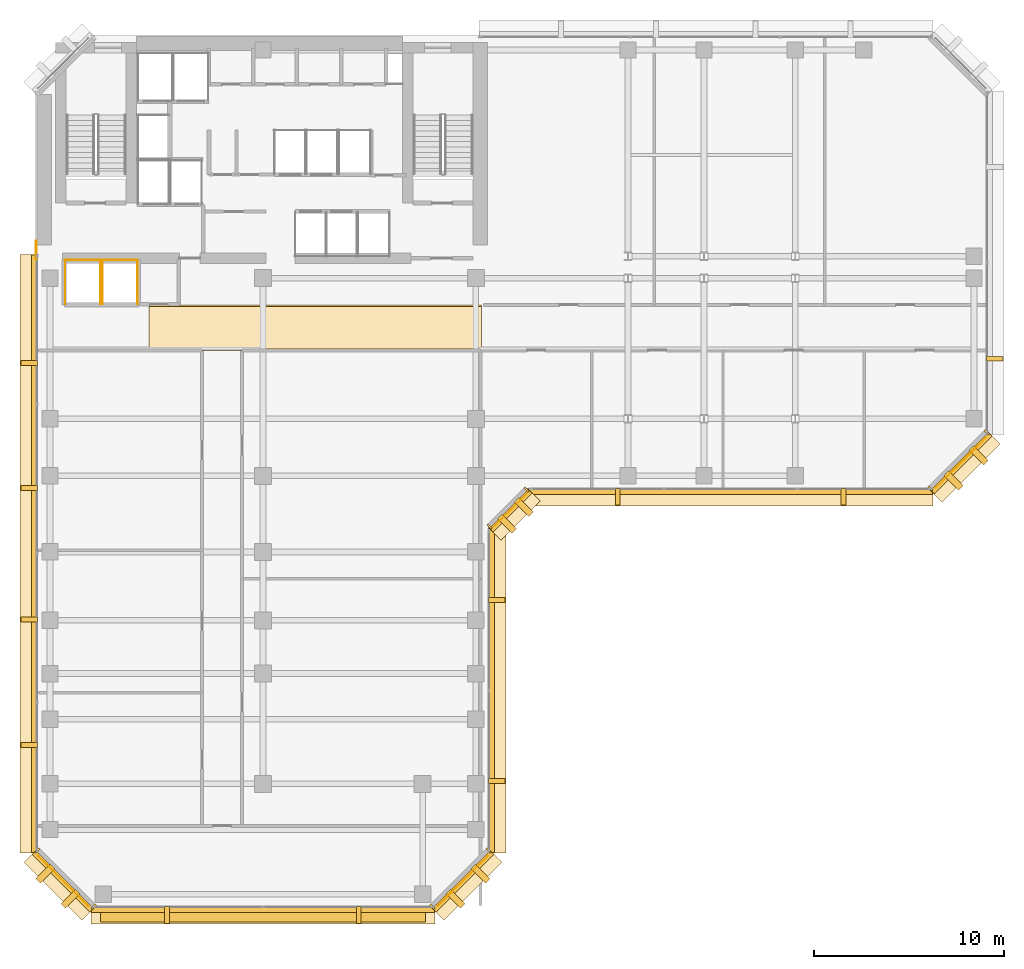
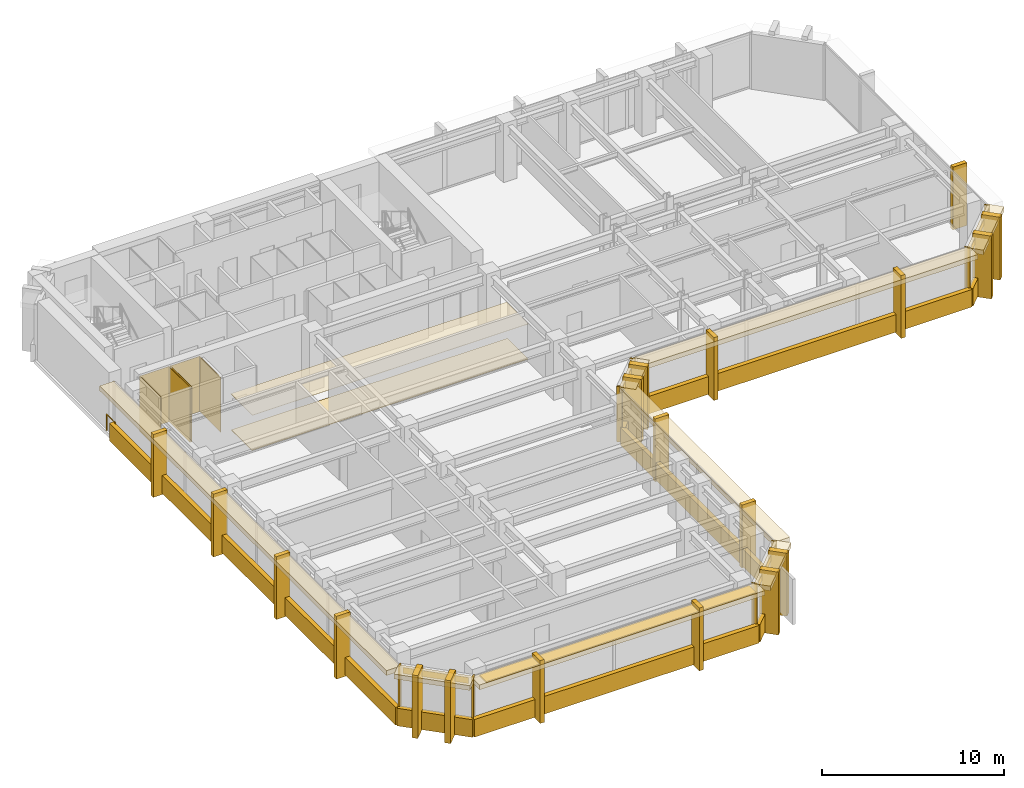
# One storey, part 9 of 11: 55 coverings, 1 railing, 1 shading device.
"""IFC4 building model written with IfcOpenShell, lengths in metres."""

import ifcopenshell
import ifcopenshell.guid

model = None  # the IFC model being written
_history = None  # IfcOwnerHistory: only IFC2X3 demands one
_inside = {}  # id of a spatial element -> (the spatial element, [elements in it])
_under = {}  # id of a project, library or spatial element -> (it, [spatial elements below it])
_declared = {}  # id of a project -> (the project, [libraries it declares])
_typed = {}  # id of a type object -> (the type object, [elements of that type])
_made_of = {}  # id of a material, layer set ... -> (it, [elements and type objects made of it])


def new_model(schema):
    """Start an empty IFC model of exactly this schema.

    Asked for "IFC4X3", IfcOpenShell would pick the latest addendum, in which some entities
    have other attributes; the version numbers below select the first issue.
    IFC2X3 requires an IfcOwnerHistory on every rooted entity: one is made here for all.
    """
    global model, _history
    if schema == "IFC4X3":
        model = ifcopenshell.file(schema_version=(4, 3, 0, 0))
    else:
        model = ifcopenshell.file(schema=schema)
    _inside.clear()
    _under.clear()
    _declared.clear()
    _typed.clear()
    _made_of.clear()
    _history = None
    if model.schema == "IFC2X3":
        org = make("IfcOrganization", Name="unknown")
        user = make(
            "IfcPersonAndOrganization",
            ThePerson=make("IfcPerson", FamilyName="unknown"),
            TheOrganization=org,
        )
        app = make(
            "IfcApplication",
            ApplicationDeveloper=org,
            Version="unknown",
            ApplicationFullName="unknown",
            ApplicationIdentifier="unknown",
        )
        _history = make(
            "IfcOwnerHistory",
            OwningUser=user,
            OwningApplication=app,
            ChangeAction="ADDED",
            CreationDate=0,
        )
    return model


def make(cls, **values):
    """One entity of the class cls with the attributes given. An attribute that is None is left unset."""
    return model.create_entity(
        cls, **{name: value for name, value in values.items() if value is not None}
    )


def rooted(cls, **values):
    """An entity with a GlobalId (a new one), such as an element, a storey or a relation."""
    return make(cls, GlobalId=ifcopenshell.guid.new(), OwnerHistory=_history, **values)


def si_unit(unit_type, name, prefix=None):
    """IfcSIUnit, for example si_unit("LENGTHUNIT", "METRE", prefix="MILLI")."""
    return make("IfcSIUnit", UnitType=unit_type, Prefix=prefix, Name=name)


def assignment(units):
    """IfcUnitAssignment: the units of a project."""
    return None if units is None else make("IfcUnitAssignment", Units=units)


def point(xyz):
    """IfcCartesianPoint."""
    return None if xyz is None else make("IfcCartesianPoint", Coordinates=xyz)


def direction(xyz):
    """IfcDirection."""
    return None if xyz is None else make("IfcDirection", DirectionRatios=xyz)


def frame(location, z_axis=None, x_axis=None):
    """IfcAxis2Placement3D, a coordinate frame: its origin and axes. An axis left out is left unset."""
    return make(
        "IfcAxis2Placement3D",
        Location=point(location),
        Axis=direction(z_axis),
        RefDirection=direction(x_axis),
    )


def frame_2d(location, x_axis=None):
    """IfcAxis2Placement2D, a coordinate frame in the plane: its origin and x axis."""
    return make(
        "IfcAxis2Placement2D", Location=point(location), RefDirection=direction(x_axis)
    )


def origin():
    """The frame at (0, 0, 0) with its axes left unset."""
    return frame((0.0, 0.0, 0.0))


def origin_2d():
    """The frame at (0, 0) in the plane with its x axis left unset."""
    return frame_2d((0.0, 0.0))


def place(relative_to, where):
    """IfcLocalPlacement: puts the frame where relative to a parent placement (None: the world)."""
    return make(
        "IfcLocalPlacement", PlacementRelTo=relative_to, RelativePlacement=where
    )


def context(
    kind, dimensions, precision=None, world=None, true_north=None, identifier=None
):
    """IfcGeometricRepresentationContext, for example the 3D "Model" context."""
    return make(
        "IfcGeometricRepresentationContext",
        ContextIdentifier=identifier,
        ContextType=kind,
        CoordinateSpaceDimension=dimensions,
        Precision=precision,
        WorldCoordinateSystem=world,
        TrueNorth=true_north,
    )


def subcontext(parent, identifier, kind, view, scale=None):
    """IfcGeometricRepresentationSubContext, for example "Body" below "Model"."""
    return make(
        "IfcGeometricRepresentationSubContext",
        ContextIdentifier=identifier,
        ContextType=kind,
        ParentContext=parent,
        TargetScale=scale,
        TargetView=view,
    )


def project(units=None, contexts=None):
    """IfcProject with its units and contexts."""
    return rooted(
        "IfcProject",
        Name="project",
        RepresentationContexts=contexts,
        UnitsInContext=assignment(units),
    )


def spatial(cls, under=None, at=None, **own):
    """A site, building, storey or space (cls), placed at a placement, below another one or the project."""
    s = rooted(cls, ObjectPlacement=at, **own)
    if under is not None:
        _under.setdefault(under.id(), (under, []))[1].append(s)
    return s


def polyline(points):
    """IfcPolyline through the points."""
    return make("IfcPolyline", Points=[point(p) for p in points])


def profile(cls, at=None, kind="AREA", **sizes):
    """A parametric profile (cls). Its sizes go by their IFC names, for example OverallWidth=200.0."""
    return make(cls, ProfileType=kind, Position=at, **sizes)


def rectangle(**sizes):
    """IfcRectangleProfileDef."""
    return profile("IfcRectangleProfileDef", **sizes)


def circle(**sizes):
    """IfcCircleProfileDef."""
    return profile("IfcCircleProfileDef", **sizes)


def outline(outer, holes=None, kind="AREA"):
    """IfcArbitraryClosedProfileDef: a profile drawn as a closed curve; with holes, ...WithVoids."""
    if holes is None:
        return make("IfcArbitraryClosedProfileDef", ProfileType=kind, OuterCurve=outer)
    return make(
        "IfcArbitraryProfileDefWithVoids",
        ProfileType=kind,
        OuterCurve=outer,
        InnerCurves=holes,
    )


def extrude(swept, where, along, depth):
    """IfcExtrudedAreaSolid: the profile swept, set in the frame where, extruded along a direction by depth."""
    return make(
        "IfcExtrudedAreaSolid",
        SweptArea=swept,
        Position=where,
        ExtrudedDirection=direction(along),
        Depth=depth,
    )


def shape(context_of_items, identifier, shape_type, items):
    """IfcShapeRepresentation: the items that make up one representation, for example the "Body"."""
    return make(
        "IfcShapeRepresentation",
        ContextOfItems=context_of_items,
        RepresentationIdentifier=identifier,
        RepresentationType=shape_type,
        Items=items,
    )


def material(Name=None, Category=None):
    """IfcMaterial."""
    return make("IfcMaterial", Name=Name, Category=Category)


def layer(
    of_material, thickness, ventilated=None, Name=None, Category=None, Priority=None
):
    """IfcMaterialLayer: one layer of a wall or slab, of a material (None: an air gap)."""
    return make(
        "IfcMaterialLayer",
        Material=of_material,
        LayerThickness=thickness,
        IsVentilated=ventilated,
        Name=Name,
        Category=Category,
        Priority=Priority,
    )


def layer_set(layers, Name=None):
    """IfcMaterialLayerSet."""
    return make("IfcMaterialLayerSet", MaterialLayers=layers, LayerSetName=Name)


def made_of(thing, what):
    """Note that an element or type object is made of a material, layer set ...; save() writes the relation."""
    if what is not None:
        _made_of.setdefault(what.id(), (what, []))[1].append(thing)
    return thing


def type_object(cls, material=None, **own):
    """A type object (cls), such as IfcWallType, which elements share."""
    return made_of(rooted(cls, **own), material)


def element(
    cls,
    number,
    at=None,
    inside=None,
    cuts=None,
    type_object=None,
    material=None,
    context=None,
    identifier="Body",
    shape_type=None,
    held_by="IfcProductDefinitionShape",
    body=None,
    shapes=None,
    **own,
):
    """One element of the class cls, such as IfcWall. Its Tag is "e" and its number.

    at: its placement. inside: the storey or other place that contains it. cuts: it is an
    opening in that element (IfcRelVoidsElement). A single representation is given by context,
    identifier, shape_type and body (its items); several are given by shapes. held_by: the class
    of the entity that holds the representations. save() writes the other relations.
    """
    e = rooted(cls, Tag="e%d" % number, ObjectPlacement=at, **own)
    if body is not None:
        shapes = [shape(context, identifier, shape_type, body)]
    if shapes is not None:
        e.Representation = make(held_by, Representations=shapes)
    if inside is not None:
        _inside.setdefault(inside.id(), (inside, []))[1].append(e)
    if cuts is not None:
        rooted(
            "IfcRelVoidsElement", RelatingBuildingElement=cuts, RelatedOpeningElement=e
        )
    if type_object is not None:
        _typed.setdefault(type_object.id(), (type_object, []))[1].append(e)
    return made_of(e, material)


def aggregate(whole, parts):
    """IfcRelAggregates: a whole, such as a stair, and the parts it consists of."""
    return rooted("IfcRelAggregates", RelatingObject=whole, RelatedObjects=parts)


def save(model, path):
    """Write the relations noted so far, then the file.

    IfcRelAggregates (storeys below a building ...), IfcRelContainedInSpatialStructure (elements
    in a storey), IfcRelDefinesByType, IfcRelAssociatesMaterial and IfcRelDeclares: one each for
    every whole, place, type object, material and project.
    """
    for whole, parts in _under.values():
        aggregate(whole, parts)
    for where, things in _inside.values():
        rooted(
            "IfcRelContainedInSpatialStructure",
            RelatedElements=things,
            RelatingStructure=where,
        )
    for kind, things in _typed.values():
        rooted("IfcRelDefinesByType", RelatedObjects=things, RelatingType=kind)
    for what, things in _made_of.values():
        rooted("IfcRelAssociatesMaterial", RelatedObjects=things, RelatingMaterial=what)
    for by, libraries in _declared.values():
        rooted("IfcRelDeclares", RelatingContext=by, RelatedDefinitions=libraries)
    model.write(path)


model = new_model("IFC4")

# Units and contexts
model_context = context("Model", 3, precision=1e-05, world=origin(), true_north=direction((0.0, 1.0)))
body_context = subcontext(model_context, "Body", "Model", "MODEL_VIEW")
ifc_project = project(units=[si_unit("LENGTHUNIT", "METRE"), si_unit("AREAUNIT", "SQUARE_METRE"), si_unit("VOLUMEUNIT", "CUBIC_METRE"), si_unit("PLANEANGLEUNIT", "RADIAN"), si_unit("MASSUNIT", "GRAM", prefix="KILO")], contexts=[model_context])

# Site, building, storey
site_placement = place(None, origin())
site = spatial("IfcSite", under=ifc_project, at=site_placement, CompositionType="ELEMENT")
building_placement = place(site_placement, origin())
building = spatial("IfcBuilding", under=site, at=building_placement, Name="Kefirva Bronze Tower", CompositionType="ELEMENT")
storey_placement = place(building_placement, frame((0.0, 0.0, 158.72998046875)))
storey = spatial("IfcBuildingStorey", under=building, at=storey_placement, Name="L38", CompositionType="ELEMENT", Elevation=158.72998046875)

# Coverings
ifc_material_1 = material(Name="Acoustic mineral tile")
ifc_layer_1 = layer(ifc_material_1, 0.02490234375, Name="Acoustic mineral tile")
ifc_layer_set_1 = layer_set([ifc_layer_1], Name="Acoustic mineral tile")
covering_type_1 = type_object("IfcCoveringType", Name="Acoustic Mineral Suspended Ceiling 25mm", PredefinedType="CEILING", material=ifc_layer_set_1)
covering_1_placement = place(storey_placement, frame((0.0, 0.0, 2.39990234375)))
element("IfcCovering", 1, at=covering_1_placement, inside=storey, type_object=covering_type_1, Name="L38 Corridor Acoustic Ceiling", PredefinedType="CEILING", context=body_context, shape_type="SweptSolid", body=[
    extrude(outline(polyline([(6.0, 29.39990234375), (23.5, 29.39990234375), (23.5, 31.800048828125), (6.0, 31.800048828125), (6.0, 29.39990234375)])), origin(), (0.0, 0.0, 1.0), 0.025146484375),
])
ifc_material_2 = material(Name="Bronze anodised aluminium", Category="aluminium")
ifc_layer_2 = layer(ifc_material_2, 0.02001953125, Name="Bronze anodised aluminium")
ifc_layer_set_2 = layer_set([ifc_layer_2], Name="Bronze anodised aluminium")
covering_type_2 = type_object("IfcCoveringType", Name="Anodised Bronze Spandrel Cladding 20mm", PredefinedType="CLADDING", material=ifc_layer_set_2)
covering_2_placement = place(storey_placement, frame((12.0, -0.0400390625, -0.16015625), z_axis=(0.0, 0.0, 1.0), x_axis=(1.0, 0.0, 0.0)))
element("IfcCovering", 2, at=covering_2_placement, inside=storey, type_object=covering_type_2, Name="L38 Streamline Horizontal Spandrel Band 0", PredefinedType="CLADDING", context=body_context, shape_type="SweptSolid", body=[
    extrude(rectangle(XDim=18.0400390625, YDim=0.280029296875, at=origin_2d()), origin(), (0.0, 0.0, 1.0), 1.179931640625),
])
covering_3_placement = place(storey_placement, frame((22.507080078125, 1.492919921875, 3.2900390625), z_axis=(0.0, 0.0, 1.0), x_axis=(0.707106781187, 0.707106781187, 0.0)))
element("IfcCovering", 3, at=covering_3_placement, inside=storey, type_object=covering_type_2, Name="L38 Bronze Spandrel Cladding 1", PredefinedType="CLADDING", context=body_context, shape_type="SweptSolid", body=[
    extrude(rectangle(XDim=3.719482421875, YDim=0.02001953125, at=origin_2d()), origin(), (0.0, 0.0, 1.0), 0.39990234375),
])
for number, where, z_axis, x_axis, name in (
    (4, (20.91162109375, 0.137939453125, 0.0), (0.0, 0.0, 1.0), (0.707106781187, 0.707106781187, 0.0), "L38 Facade Joint Closure Panel 1S"),
    (5, (23.862060546875, 3.08837890625, 0.0), (0.0, 0.0, 1.0), (0.707106781187, 0.707106781187, 0.0), "L38 Facade Joint Closure Panel 1E"),
):
    element("IfcCovering", number, at=place(storey_placement, frame(where, z_axis=z_axis, x_axis=x_axis)), inside=storey, type_object=covering_type_2, Name=name, PredefinedType="CLADDING", context=body_context, shape_type="SweptSolid", body=[
        extrude(rectangle(XDim=0.10009765625, YDim=0.320068359375, at=origin_2d()), origin(), (0.0, 0.0, 1.0), 3.7099609375),
    ])
covering_4_placement = place(storey_placement, frame((22.5283203125, 1.4716796875, -0.16015625), z_axis=(0.0, 0.0, 1.0), x_axis=(0.707106781187, 0.707106781187, 0.0)))
element("IfcCovering", 6, at=covering_4_placement, inside=storey, type_object=covering_type_2, Name="L38 Streamline Horizontal Spandrel Band 1", PredefinedType="CLADDING", context=body_context, shape_type="SweptSolid", body=[
    extrude(rectangle(XDim=4.28271484375, YDim=0.280029296875, at=origin_2d()), origin(), (0.0, 0.0, 1.0), 1.179931640625),
])
covering_5_placement = place(storey_placement, frame((24.0400390625, 11.5, -0.16015625), z_axis=(0.0, 0.0, 1.0), x_axis=(0.0, 1.0, 0.0)))
element("IfcCovering", 7, at=covering_5_placement, inside=storey, type_object=covering_type_2, Name="L38 Streamline Horizontal Spandrel Band 2", PredefinedType="CLADDING", context=body_context, shape_type="SweptSolid", body=[
    extrude(rectangle(XDim=17.0400390625, YDim=0.280029296875, at=origin_2d()), origin(), (0.0, 0.0, 1.0), 1.179931640625),
])
covering_6_placement = place(storey_placement, frame((25.007080078125, 20.992919921875, 3.2900390625), z_axis=(0.0, 0.0, 1.0), x_axis=(0.707106781187, 0.707106781187, 0.0)))
element("IfcCovering", 8, at=covering_6_placement, inside=storey, type_object=covering_type_2, Name="L38 Bronze Spandrel Cladding 2", PredefinedType="CLADDING", context=body_context, shape_type="SweptSolid", body=[
    extrude(rectangle(XDim=2.446533203125, YDim=0.02001953125, at=origin_2d()), origin(), (0.0, 0.0, 1.0), 0.39990234375),
])
for number, where, z_axis, x_axis, name in (
    (9, (23.91162109375, 20.137939453125, 0.0), (0.0, 0.0, 1.0), (0.707106781187, 0.707106781187, 0.0), "L38 Facade Joint Closure Panel 2S"),
    (10, (25.862060546875, 22.08837890625, 0.0), (0.0, 0.0, 1.0), (0.707106781187, 0.707106781187, 0.0), "L38 Facade Joint Closure Panel 2E"),
):
    element("IfcCovering", number, at=place(storey_placement, frame(where, z_axis=z_axis, x_axis=x_axis)), inside=storey, type_object=covering_type_2, Name=name, PredefinedType="CLADDING", context=body_context, shape_type="SweptSolid", body=[
        extrude(rectangle(XDim=0.10009765625, YDim=0.320068359375, at=origin_2d()), origin(), (0.0, 0.0, 1.0), 3.7099609375),
    ])
covering_7_placement = place(storey_placement, frame((25.0283203125, 20.9716796875, -0.16015625), z_axis=(0.0, 0.0, 1.0), x_axis=(0.707106781187, 0.707106781187, 0.0)))
element("IfcCovering", 11, at=covering_7_placement, inside=storey, type_object=covering_type_2, Name="L38 Streamline Horizontal Spandrel Band 3", PredefinedType="CLADDING", context=body_context, shape_type="SweptSolid", body=[
    extrude(rectangle(XDim=2.868408203125, YDim=0.280029296875, at=origin_2d()), origin(), (0.0, 0.0, 1.0), 1.179931640625),
])
covering_8_placement = place(storey_placement, frame((36.60009765625, 21.9599609375, -0.16015625), z_axis=(0.0, 0.0, 1.0), x_axis=(1.0, 0.0, 0.0)))
element("IfcCovering", 12, at=covering_8_placement, inside=storey, type_object=covering_type_2, Name="L38 Streamline Horizontal Spandrel Band 4", PredefinedType="CLADDING", context=body_context, shape_type="SweptSolid", body=[
    extrude(rectangle(XDim=21.239990234375, YDim=0.280029296875, at=origin_2d()), origin(), (0.0, 0.0, 1.0), 1.179931640625),
])
covering_9_placement = place(storey_placement, frame((48.70703125, 23.492919921875, 3.2900390625), z_axis=(0.0, 0.0, 1.0), x_axis=(0.707106781187, 0.707106781187, 0.0)))
element("IfcCovering", 13, at=covering_9_placement, inside=storey, type_object=covering_type_2, Name="L38 Bronze Spandrel Cladding 3", PredefinedType="CLADDING", context=body_context, shape_type="SweptSolid", body=[
    extrude(rectangle(XDim=3.719482421875, YDim=0.02001953125, at=origin_2d()), origin(), (0.0, 0.0, 1.0), 0.39990234375),
])
for number, where, z_axis, x_axis, name in (
    (14, (47.11181640625, 22.137939453125, 0.0), (0.0, 0.0, 1.0), (0.707106781187, 0.707106781187, 0.0), "L38 Facade Joint Closure Panel 3S"),
    (15, (50.06201171875, 25.08837890625, 0.0), (0.0, 0.0, 1.0), (0.707106781187, 0.707106781187, 0.0), "L38 Facade Joint Closure Panel 3E"),
):
    element("IfcCovering", number, at=place(storey_placement, frame(where, z_axis=z_axis, x_axis=x_axis)), inside=storey, type_object=covering_type_2, Name=name, PredefinedType="CLADDING", context=body_context, shape_type="SweptSolid", body=[
        extrude(rectangle(XDim=0.10009765625, YDim=0.320068359375, at=origin_2d()), origin(), (0.0, 0.0, 1.0), 3.7099609375),
    ])
covering_10_placement = place(storey_placement, frame((48.728271484375, 23.4716796875, -0.16015625), z_axis=(0.0, 0.0, 1.0), x_axis=(0.707106781187, 0.707106781187, 0.0)))
element("IfcCovering", 16, at=covering_10_placement, inside=storey, type_object=covering_type_2, Name="L38 Streamline Horizontal Spandrel Band 5", PredefinedType="CLADDING", context=body_context, shape_type="SweptSolid", body=[
    extrude(rectangle(XDim=4.28271484375, YDim=0.280029296875, at=origin_2d()), origin(), (0.0, 0.0, 1.0), 1.179931640625),
])
covering_11_placement = place(storey_placement, frame((-0.0400390625, 18.697509765625, -0.16015625), z_axis=(0.0, 0.0, 1.0), x_axis=(0.0, -1.0, 0.0)))
element("IfcCovering", 17, at=covering_11_placement, inside=storey, type_object=covering_type_2, Name="L38 Streamline Horizontal Spandrel Band 10", PredefinedType="CLADDING", context=body_context, shape_type="SweptSolid", body=[
    extrude(rectangle(XDim=31.43505859375, YDim=0.280029296875, at=origin_2d()), origin(), (0.0, 0.0, 1.0), 1.179931640625),
])
covering_12_placement = place(storey_placement, frame((1.492919921875, 1.492919921875, 3.2900390625), z_axis=(0.0, 0.0, 1.0), x_axis=(0.707106781187, -0.707106781187, 0.0)))
element("IfcCovering", 18, at=covering_12_placement, inside=storey, type_object=covering_type_2, Name="L38 Bronze Spandrel Cladding 6", PredefinedType="CLADDING", context=body_context, shape_type="SweptSolid", body=[
    extrude(rectangle(XDim=3.719482421875, YDim=0.02001953125, at=origin_2d()), origin(), (0.0, 0.0, 1.0), 0.39990234375),
])
for number, where, z_axis, x_axis, name in (
    (19, (0.137939453125, 3.08837890625, 0.0), (0.0, 0.0, 1.0), (0.707106781187, -0.707106781187, 0.0), "L38 Facade Joint Closure Panel 6S"),
    (20, (3.08837890625, 0.137939453125, 0.0), (0.0, 0.0, 1.0), (0.707106781187, -0.707106781187, 0.0), "L38 Facade Joint Closure Panel 6E"),
):
    element("IfcCovering", number, at=place(storey_placement, frame(where, z_axis=z_axis, x_axis=x_axis)), inside=storey, type_object=covering_type_2, Name=name, PredefinedType="CLADDING", context=body_context, shape_type="SweptSolid", body=[
        extrude(rectangle(XDim=0.10009765625, YDim=0.320068359375, at=origin_2d()), origin(), (0.0, 0.0, 1.0), 3.7099609375),
    ])
covering_13_placement = place(storey_placement, frame((1.4716796875, 1.4716796875, -0.16015625), z_axis=(0.0, 0.0, 1.0), x_axis=(0.707106781187, -0.707106781187, 0.0)))
element("IfcCovering", 21, at=covering_13_placement, inside=storey, type_object=covering_type_2, Name="L38 Streamline Horizontal Spandrel Band 11", PredefinedType="CLADDING", context=body_context, shape_type="SweptSolid", body=[
    extrude(rectangle(XDim=4.28271484375, YDim=0.280029296875, at=origin_2d()), origin(), (0.0, 0.0, 1.0), 1.179931640625),
])
covering_14_placement = place(storey_placement, origin())
element("IfcCovering", 22, at=covering_14_placement, inside=storey, type_object=covering_type_2, Name="L38 Lift OB1 Hoistway Liner N", PredefinedType="CLADDING", context=body_context, shape_type="SweptSolid", body=[
    extrude(outline(polyline([(1.580078125, 34.139892578125), (3.469970703125, 34.139892578125), (3.469970703125, 34.159912109375), (1.580078125, 34.159912109375), (1.580078125, 34.139892578125)])), origin(), (0.0, 0.0, 1.0), 3.7099609375),
])
covering_15_placement = place(storey_placement, origin())
element("IfcCovering", 23, at=covering_15_placement, inside=storey, type_object=covering_type_2, Name="L38 Lift OB1 Hoistway Liner W", PredefinedType="CLADDING", context=body_context, shape_type="SweptSolid", body=[
    extrude(outline(polyline([(1.590087890625, 31.830078125), (1.610107421875, 31.830078125), (1.610107421875, 34.169921875), (1.590087890625, 34.169921875), (1.590087890625, 31.830078125)])), origin(), (0.0, 0.0, 1.0), 3.7099609375),
])
covering_16_placement = place(storey_placement, origin())
element("IfcCovering", 24, at=covering_16_placement, inside=storey, type_object=covering_type_2, Name="L38 Lift OB1 Hoistway Liner E", PredefinedType="CLADDING", context=body_context, shape_type="SweptSolid", body=[
    extrude(outline(polyline([(3.43994140625, 31.830078125), (3.4599609375, 31.830078125), (3.4599609375, 34.169921875), (3.43994140625, 34.169921875), (3.43994140625, 31.830078125)])), origin(), (0.0, 0.0, 1.0), 3.7099609375),
])
covering_17_placement = place(storey_placement, origin())
element("IfcCovering", 25, at=covering_17_placement, inside=storey, type_object=covering_type_2, Name="L38 Lift OB2 Hoistway Liner N", PredefinedType="CLADDING", context=body_context, shape_type="SweptSolid", body=[
    extrude(outline(polyline([(3.530029296875, 34.139892578125), (5.419921875, 34.139892578125), (5.419921875, 34.159912109375), (3.530029296875, 34.159912109375), (3.530029296875, 34.139892578125)])), origin(), (0.0, 0.0, 1.0), 3.7099609375),
])
covering_18_placement = place(storey_placement, origin())
element("IfcCovering", 26, at=covering_18_placement, inside=storey, type_object=covering_type_2, Name="L38 Lift OB2 Hoistway Liner W", PredefinedType="CLADDING", context=body_context, shape_type="SweptSolid", body=[
    extrude(outline(polyline([(3.5400390625, 31.830078125), (3.56005859375, 31.830078125), (3.56005859375, 34.169921875), (3.5400390625, 34.169921875), (3.5400390625, 31.830078125)])), origin(), (0.0, 0.0, 1.0), 3.7099609375),
])
covering_19_placement = place(storey_placement, origin())
element("IfcCovering", 27, at=covering_19_placement, inside=storey, type_object=covering_type_2, Name="L38 Lift OB2 Hoistway Liner E", PredefinedType="CLADDING", context=body_context, shape_type="SweptSolid", body=[
    extrude(outline(polyline([(5.389892578125, 31.830078125), (5.409912109375, 31.830078125), (5.409912109375, 34.169921875), (5.389892578125, 34.169921875), (5.389892578125, 31.830078125)])), origin(), (0.0, 0.0, 1.0), 3.7099609375),
])

# Shading device
ifc_layer_3 = layer(ifc_material_2, 0.090087890625, Name="Bronze anodised aluminium")
ifc_layer_set_3 = layer_set([ifc_layer_3], Name="Bronze anodised aluminium")
shading_device_type = type_object("IfcShadingDeviceType", Name="Horizontal Bronze Sunshade Band 750mm", PredefinedType="JALOUSIE", material=ifc_layer_set_3)
shading_device_placement = place(storey_placement, frame((12.0, -0.294921875, 3.60498046875), z_axis=(0.0, 0.0, 1.0), x_axis=(1.0, 0.0, 0.0)))
element("IfcShadingDevice", 28, at=shading_device_placement, inside=storey, type_object=shading_device_type, Name="L38 Horizontal Bronze Sunshade Band 0", PredefinedType="JALOUSIE", context=body_context, shape_type="SweptSolid", body=[
    extrude(rectangle(XDim=17.090087890625, YDim=0.75, at=origin_2d()), origin(), (0.0, 0.0, 1.0), 0.090087890625),
])

# Railing
ifc_material_3 = material(Name="Stainless steel 316", Category="steel")
railing_type = type_object("IfcRailingType", Name="Interior Stair Guardrail 1100mm", PredefinedType="GUARDRAIL", material=ifc_material_3)
railing_placement = place(storey_placement, frame((0.080078125, 34.199951171875, 0.0)))
element("IfcRailing", 29, at=railing_placement, inside=storey, type_object=railing_type, Name="L38 West Core Junction Guardrail", PredefinedType="GUARDRAIL", context=body_context, shape_type="SweptSolid", body=[
    extrude(circle(Radius=0.02392578125, at=origin_2d()), frame((0.0, 0.0, 1.076171875), z_axis=(0.0, 1.0, 0.0), x_axis=(-1.0, 0.0, 0.0)), (0.0, 0.0, 1.0), 0.949951171875),
    extrude(circle(Radius=0.02099609375, at=origin_2d()), origin(), (0.0, 0.0, 1.0), 1.052001953125),
    extrude(circle(Radius=0.02099609375, at=origin_2d()), frame((0.0, 0.949951171875, 0.0)), (0.0, 0.0, 1.0), 1.052001953125),
])

# Coverings
ifc_material_4 = material(Name="Calcium sulphate access tile")
ifc_layer_4 = layer(ifc_material_4, 0.044921875, Name="Calcium sulphate access tile")
ifc_layer_set_4 = layer_set([ifc_layer_4], Name="Calcium sulphate access tile")
covering_type_3 = type_object("IfcCoveringType", Name="Raised Access Office Flooring 45mm", PredefinedType="FLOORING", material=ifc_layer_set_4)
covering_20_placement = place(storey_placement, origin())
element("IfcCovering", 30, at=covering_20_placement, inside=storey, type_object=covering_type_3, Name="L38 Architectural Finish Flooring", PredefinedType="FLOORING", context=body_context, shape_type="SweptSolid", body=[
    extrude(outline(polyline([(6.0, 29.47998046875), (23.5, 29.47998046875), (23.5, 31.719970703125), (6.0, 31.719970703125), (6.0, 29.47998046875)])), origin(), (0.0, 0.0, 1.0), 0.044921875),
])
ifc_layer_5 = layer(ifc_material_2, 0.179931640625, Name="Bronze anodised aluminium")
ifc_layer_set_5 = layer_set([ifc_layer_5], Name="Bronze anodised aluminium")
covering_type_4 = type_object("IfcCoveringType", Name="Streamline Bronze Sunshade Eyebrow Cladding 180mm", PredefinedType="CLADDING", material=ifc_layer_set_5)
covering_21_placement = place(storey_placement, frame((12.0, -0.31005859375, 3.39013671875), z_axis=(0.0, 0.0, 1.0), x_axis=(1.0, 0.0, 0.0)))
element("IfcCovering", 31, at=covering_21_placement, inside=storey, type_object=covering_type_4, Name="L38 Streamline Bronze Sunshade Eyebrow 0", PredefinedType="CLADDING", context=body_context, shape_type="SweptSolid", body=[
    extrude(rectangle(XDim=18.080078125, YDim=0.93994140625, at=origin_2d()), origin(), (0.0, 0.0, 1.0), 0.320068359375),
])
covering_22_placement = place(storey_placement, frame((22.71923828125, 1.28076171875, 3.39013671875), z_axis=(0.0, 0.0, 1.0), x_axis=(0.707106781187, 0.707106781187, 0.0)))
element("IfcCovering", 32, at=covering_22_placement, inside=storey, type_object=covering_type_4, Name="L38 Streamline Bronze Sunshade Eyebrow 1", PredefinedType="CLADDING", context=body_context, shape_type="SweptSolid", body=[
    extrude(rectangle(XDim=4.322509765625, YDim=0.93994140625, at=origin_2d()), origin(), (0.0, 0.0, 1.0), 0.320068359375),
])
covering_23_placement = place(storey_placement, frame((24.31005859375, 11.5, 3.39013671875), z_axis=(0.0, 0.0, 1.0), x_axis=(0.0, 1.0, 0.0)))
element("IfcCovering", 33, at=covering_23_placement, inside=storey, type_object=covering_type_4, Name="L38 Streamline Bronze Sunshade Eyebrow 2", PredefinedType="CLADDING", context=body_context, shape_type="SweptSolid", body=[
    extrude(rectangle(XDim=17.080078125, YDim=0.93994140625, at=origin_2d()), origin(), (0.0, 0.0, 1.0), 0.320068359375),
])
covering_24_placement = place(storey_placement, frame((25.21923828125, 20.78076171875, 3.39013671875), z_axis=(0.0, 0.0, 1.0), x_axis=(0.707106781187, 0.707106781187, 0.0)))
element("IfcCovering", 34, at=covering_24_placement, inside=storey, type_object=covering_type_4, Name="L38 Streamline Bronze Sunshade Eyebrow 3", PredefinedType="CLADDING", context=body_context, shape_type="SweptSolid", body=[
    extrude(rectangle(XDim=2.908447265625, YDim=0.93994140625, at=origin_2d()), origin(), (0.0, 0.0, 1.0), 0.320068359375),
])
covering_25_placement = place(storey_placement, frame((36.60009765625, 21.68994140625, 3.39013671875), z_axis=(0.0, 0.0, 1.0), x_axis=(1.0, 0.0, 0.0)))
element("IfcCovering", 35, at=covering_25_placement, inside=storey, type_object=covering_type_4, Name="L38 Streamline Bronze Sunshade Eyebrow 4", PredefinedType="CLADDING", context=body_context, shape_type="SweptSolid", body=[
    extrude(rectangle(XDim=21.280029296875, YDim=0.93994140625, at=origin_2d()), origin(), (0.0, 0.0, 1.0), 0.320068359375),
])
covering_26_placement = place(storey_placement, frame((48.919189453125, 23.28076171875, 3.39013671875), z_axis=(0.0, 0.0, 1.0), x_axis=(0.707106781187, 0.707106781187, 0.0)))
element("IfcCovering", 36, at=covering_26_placement, inside=storey, type_object=covering_type_4, Name="L38 Streamline Bronze Sunshade Eyebrow 5", PredefinedType="CLADDING", context=body_context, shape_type="SweptSolid", body=[
    extrude(rectangle(XDim=4.322509765625, YDim=0.93994140625, at=origin_2d()), origin(), (0.0, 0.0, 1.0), 0.320068359375),
])
covering_27_placement = place(storey_placement, frame((-0.31005859375, 18.697509765625, 3.39013671875), z_axis=(0.0, 0.0, 1.0), x_axis=(0.0, -1.0, 0.0)))
element("IfcCovering", 37, at=covering_27_placement, inside=storey, type_object=covering_type_4, Name="L38 Streamline Bronze Sunshade Eyebrow 10", PredefinedType="CLADDING", context=body_context, shape_type="SweptSolid", body=[
    extrude(rectangle(XDim=31.47509765625, YDim=0.93994140625, at=origin_2d()), origin(), (0.0, 0.0, 1.0), 0.320068359375),
])
covering_28_placement = place(storey_placement, frame((1.28076171875, 1.28076171875, 3.39013671875), z_axis=(0.0, 0.0, 1.0), x_axis=(0.707106781187, -0.707106781187, 0.0)))
element("IfcCovering", 38, at=covering_28_placement, inside=storey, type_object=covering_type_4, Name="L38 Streamline Bronze Sunshade Eyebrow 11", PredefinedType="CLADDING", context=body_context, shape_type="SweptSolid", body=[
    extrude(rectangle(XDim=4.322509765625, YDim=0.93994140625, at=origin_2d()), origin(), (0.0, 0.0, 1.0), 0.320068359375),
])
ifc_layer_6 = layer(ifc_material_2, 0.260009765625, Name="Bronze anodised aluminium")
ifc_layer_set_6 = layer_set([ifc_layer_6], Name="Bronze anodised aluminium")
covering_type_5 = type_object("IfcCoveringType", Name="Unbroken Bronze Buttress Fin Cladding 260mm", PredefinedType="CLADDING", material=ifc_layer_set_6)
for number, where, z_axis, x_axis, name in (
    (39, (6.9599609375, -0.300048828125, -0.25), (0.0, 0.0, 1.0), (1.0, 0.0, 0.0), "L38 Unbroken Vertical Bronze Rib Fin 1"),
    (40, (17.0400390625, -0.300048828125, -0.25), (0.0, 0.0, 1.0), (1.0, 0.0, 0.0), "L38 Unbroken Vertical Bronze Rib Fin 2"),
):
    element("IfcCovering", number, at=place(storey_placement, frame(where, z_axis=z_axis, x_axis=x_axis)), inside=storey, type_object=covering_type_5, Name=name, PredefinedType="CLADDING", context=body_context, shape_type="SweptSolid", body=[
        extrude(rectangle(XDim=0.260009765625, YDim=0.8798828125, at=origin_2d()), origin(), (0.0, 0.0, 1.0), 4.2099609375),
    ])
for number, where, z_axis, x_axis, name in (
    (41, (22.122802734375, 0.55712890625, -0.25), (0.0, 0.0, 1.0), (0.707106781187, 0.707106781187, 0.0), "L38 Chamfered Corner Buttress Fin Cladding 3"),
    (42, (23.44287109375, 1.877197265625, -0.25), (0.0, 0.0, 1.0), (0.707106781187, 0.707106781187, 0.0), "L38 Chamfered Corner Buttress Fin Cladding 4"),
):
    element("IfcCovering", number, at=place(storey_placement, frame(where, z_axis=z_axis, x_axis=x_axis)), inside=storey, type_object=covering_type_5, Name=name, PredefinedType="CLADDING", context=body_context, shape_type="SweptSolid", body=[
        extrude(rectangle(XDim=0.340087890625, YDim=1.080078125, at=origin_2d()), origin(), (0.0, 0.0, 1.0), 4.2099609375),
    ])
for number, where, z_axis, x_axis, name in (
    (43, (24.300048828125, 6.739990234375, -0.25), (0.0, 0.0, 1.0), (0.0, 1.0, 0.0), "L38 Unbroken Vertical Bronze Rib Fin 5"),
    (44, (24.300048828125, 16.260009765625, -0.25), (0.0, 0.0, 1.0), (0.0, 1.0, 0.0), "L38 Unbroken Vertical Bronze Rib Fin 6"),
):
    element("IfcCovering", number, at=place(storey_placement, frame(where, z_axis=z_axis, x_axis=x_axis)), inside=storey, type_object=covering_type_5, Name=name, PredefinedType="CLADDING", context=body_context, shape_type="SweptSolid", body=[
        extrude(rectangle(XDim=0.260009765625, YDim=0.8798828125, at=origin_2d()), origin(), (0.0, 0.0, 1.0), 4.2099609375),
    ])
for number, where, z_axis, x_axis, name in (
    (45, (24.8427734375, 20.277099609375, -0.25), (0.0, 0.0, 1.0), (0.707106781187, 0.707106781187, 0.0), "L38 Chamfered Corner Buttress Fin Cladding 7"),
    (46, (25.722900390625, 21.1572265625, -0.25), (0.0, 0.0, 1.0), (0.707106781187, 0.707106781187, 0.0), "L38 Chamfered Corner Buttress Fin Cladding 8"),
):
    element("IfcCovering", number, at=place(storey_placement, frame(where, z_axis=z_axis, x_axis=x_axis)), inside=storey, type_object=covering_type_5, Name=name, PredefinedType="CLADDING", context=body_context, shape_type="SweptSolid", body=[
        extrude(rectangle(XDim=0.340087890625, YDim=1.080078125, at=origin_2d()), origin(), (0.0, 0.0, 1.0), 4.2099609375),
    ])
for number, where, z_axis, x_axis, name in (
    (47, (30.6640625, 21.699951171875, -0.25), (0.0, 0.0, 1.0), (1.0, 0.0, 0.0), "L38 Unbroken Vertical Bronze Rib Fin 9"),
    (48, (42.535888671875, 21.699951171875, -0.25), (0.0, 0.0, 1.0), (1.0, 0.0, 0.0), "L38 Unbroken Vertical Bronze Rib Fin 10"),
):
    element("IfcCovering", number, at=place(storey_placement, frame(where, z_axis=z_axis, x_axis=x_axis)), inside=storey, type_object=covering_type_5, Name=name, PredefinedType="CLADDING", context=body_context, shape_type="SweptSolid", body=[
        extrude(rectangle(XDim=0.260009765625, YDim=0.8798828125, at=origin_2d()), origin(), (0.0, 0.0, 1.0), 4.2099609375),
    ])
for number, where, z_axis, x_axis, name in (
    (49, (48.32275390625, 22.55712890625, -0.25), (0.0, 0.0, 1.0), (0.707106781187, 0.707106781187, 0.0), "L38 Chamfered Corner Buttress Fin Cladding 11"),
    (50, (49.642822265625, 23.877197265625, -0.25), (0.0, 0.0, 1.0), (0.707106781187, 0.707106781187, 0.0), "L38 Chamfered Corner Buttress Fin Cladding 12"),
):
    element("IfcCovering", number, at=place(storey_placement, frame(where, z_axis=z_axis, x_axis=x_axis)), inside=storey, type_object=covering_type_5, Name=name, PredefinedType="CLADDING", context=body_context, shape_type="SweptSolid", body=[
        extrude(rectangle(XDim=0.340087890625, YDim=1.080078125, at=origin_2d()), origin(), (0.0, 0.0, 1.0), 4.2099609375),
    ])
for number, where, z_axis, x_axis, name in (
    (51, (50.5, 28.9599609375, -0.25), (0.0, 0.0, 1.0), (0.0, 1.0, 0.0), "L38 Unbroken Vertical Bronze Rib Fin 13"),
    (52, (-0.300048828125, 28.743896484375, -0.25), (0.0, 0.0, 1.0), (0.0, -1.0, 0.0), "L38 Unbroken Vertical Bronze Rib Fin 23"),
    (53, (-0.300048828125, 22.15087890625, -0.25), (0.0, 0.0, 1.0), (0.0, -1.0, 0.0), "L38 Unbroken Vertical Bronze Rib Fin 24"),
    (54, (-0.300048828125, 15.244140625, -0.25), (0.0, 0.0, 1.0), (0.0, -1.0, 0.0), "L38 Unbroken Vertical Bronze Rib Fin 25"),
    (55, (-0.300048828125, 8.651123046875, -0.25), (0.0, 0.0, 1.0), (0.0, -1.0, 0.0), "L38 Unbroken Vertical Bronze Rib Fin 26"),
):
    element("IfcCovering", number, at=place(storey_placement, frame(where, z_axis=z_axis, x_axis=x_axis)), inside=storey, type_object=covering_type_5, Name=name, PredefinedType="CLADDING", context=body_context, shape_type="SweptSolid", body=[
        extrude(rectangle(XDim=0.260009765625, YDim=0.8798828125, at=origin_2d()), origin(), (0.0, 0.0, 1.0), 4.2099609375),
    ])
for number, where, z_axis, x_axis, name in (
    (56, (0.55712890625, 1.877197265625, -0.25), (0.0, 0.0, 1.0), (0.707106781187, -0.707106781187, 0.0), "L38 Chamfered Corner Buttress Fin Cladding 27"),
    (57, (1.877197265625, 0.55712890625, -0.25), (0.0, 0.0, 1.0), (0.707106781187, -0.707106781187, 0.0), "L38 Chamfered Corner Buttress Fin Cladding 28"),
):
    element("IfcCovering", number, at=place(storey_placement, frame(where, z_axis=z_axis, x_axis=x_axis)), inside=storey, type_object=covering_type_5, Name=name, PredefinedType="CLADDING", context=body_context, shape_type="SweptSolid", body=[
        extrude(rectangle(XDim=0.340087890625, YDim=1.080078125, at=origin_2d()), origin(), (0.0, 0.0, 1.0), 4.2099609375),
    ])

save(model, "model.ifc")
